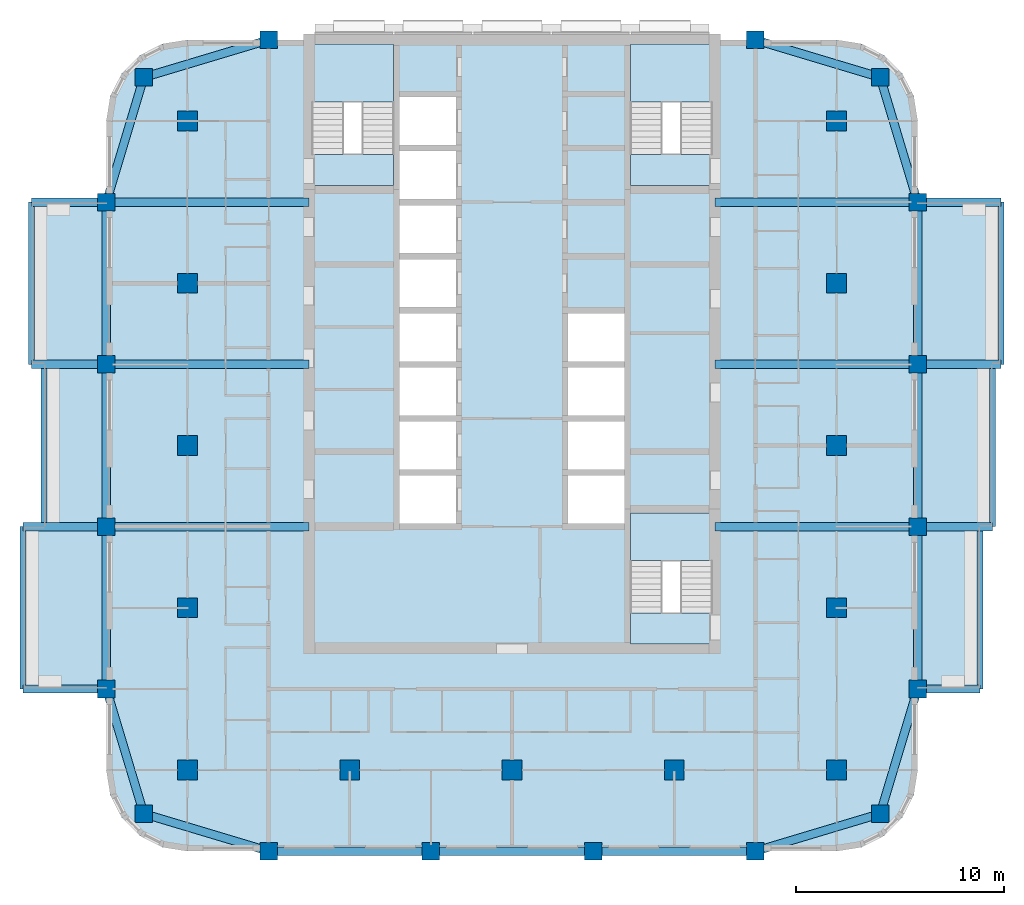
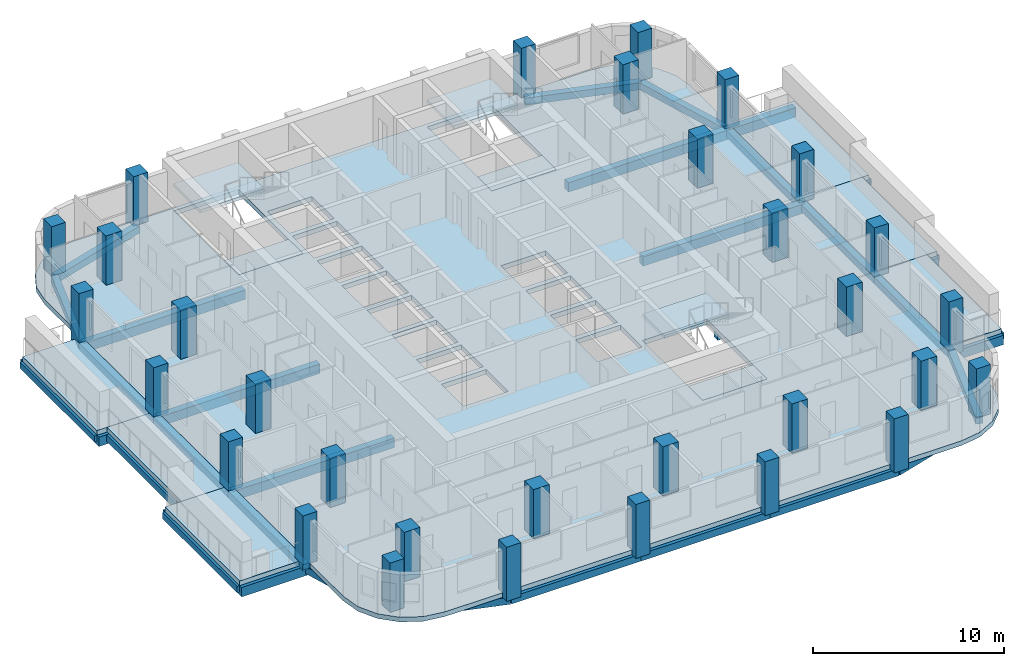
# One storey, part 1 of 13: 37 beams, 31 columns, 13 slabs, 3 elements without a shape of their own.
"""IFC4 building model written with IfcOpenShell, lengths in metres."""

from ifc_helpers import new_model, si_unit, direction, frame, origin, origin_2d, place, context, subcontext, project, spatial, polyline, rectangle, outline, extrude, material, layer, layer_set, material_profile, profile_set, type_object, element, aggregate, save


model = new_model("IFC4")

# Units and contexts
model_context = context("Model", 3, precision=1e-05, world=origin(), true_north=direction((0.0, 1.0)))
body_context = subcontext(model_context, "Body", "Model", "MODEL_VIEW")
ifc_project = project(units=[si_unit("LENGTHUNIT", "METRE"), si_unit("AREAUNIT", "SQUARE_METRE"), si_unit("VOLUMEUNIT", "CUBIC_METRE"), si_unit("PLANEANGLEUNIT", "RADIAN"), si_unit("MASSUNIT", "GRAM", prefix="KILO")], contexts=[model_context])

# Site, building, storey
site_placement = place(None, origin())
site = spatial("IfcSite", under=ifc_project, at=site_placement, CompositionType="ELEMENT")
building_placement = place(site_placement, origin())
building = spatial("IfcBuilding", under=site, at=building_placement, Name="Ludao Terraces", CompositionType="ELEMENT")
storey_placement = place(building_placement, frame((0.0, 0.0, 123.699951171875)))
storey = spatial("IfcBuildingStorey", under=building, at=storey_placement, Name="L33", CompositionType="ELEMENT", Elevation=123.699951171875)

# Columns
ifc_material_1 = material(Name="Concrete C50", Category="concrete")
ifc_material_profile_1 = material_profile(ifc_material_1, rectangle(XDim=0.85009765625, YDim=0.85009765625, at=origin_2d()), Name="850 X 850")
ifc_profile_set_1 = profile_set([ifc_material_profile_1], Name="Concrete C50")
column_type_1 = type_object("IfcColumnType", Name="RC column 850x850 C50", PredefinedType="COLUMN", material=ifc_profile_set_1)
for number, where, z_axis, x_axis, name in (
    (1, (67.300048828125, 47.300048828125, -0.300048828125), (0.0, 0.0, 1.0), (1.0, 0.0, 0.0), "Column L33 C0057x0057"),
    (2, (102.699951171875, 47.300048828125, -0.300048828125), (0.0, 0.0, 1.0), (1.0, 0.0, 0.0), "Column L33 C0411x0057"),
    (3, (67.300048828125, 82.699951171875, -0.300048828125), (0.0, 0.0, 1.0), (1.0, 0.0, 0.0), "Column L33 C0057x0411"),
    (4, (102.699951171875, 82.699951171875, -0.300048828125), (0.0, 0.0, 1.0), (1.0, 0.0, 0.0), "Column L33 C0411x0411"),
    (5, (65.5, 53.300048828125, -0.300048828125), (0.0, 0.0, 1.0), (1.0, 0.0, 0.0), "Column L33 W0039x0117"),
    (6, (104.5, 53.300048828125, -0.300048828125), (0.0, 0.0, 1.0), (1.0, 0.0, 0.0), "Column L33 W0429x0117"),
    (7, (73.300048828125, 45.5, -0.300048828125), (0.0, 0.0, 1.0), (1.0, 0.0, 0.0), "Column L33 W0117x0039"),
    (8, (73.300048828125, 84.5, -0.300048828125), (0.0, 0.0, 1.0), (1.0, 0.0, 0.0), "Column L33 W0117x0429"),
    (9, (65.5, 61.10009765625, -0.300048828125), (0.0, 0.0, 1.0), (1.0, 0.0, 0.0), "Column L33 W0039x0195"),
    (10, (104.5, 61.10009765625, -0.300048828125), (0.0, 0.0, 1.0), (1.0, 0.0, 0.0), "Column L33 W0429x0195"),
    (11, (81.10009765625, 45.5, -0.300048828125), (0.0, 0.0, 1.0), (1.0, 0.0, 0.0), "Column L33 W0195x0039"),
    (12, (65.5, 68.89990234375, -0.300048828125), (0.0, 0.0, 1.0), (1.0, 0.0, 0.0), "Column L33 W0039x0273"),
    (13, (104.5, 68.89990234375, -0.300048828125), (0.0, 0.0, 1.0), (1.0, 0.0, 0.0), "Column L33 W0429x0273"),
    (14, (88.89990234375, 45.5, -0.300048828125), (0.0, 0.0, 1.0), (1.0, 0.0, 0.0), "Column L33 W0273x0039"),
    (15, (65.5, 76.699951171875, -0.300048828125), (0.0, 0.0, 1.0), (1.0, 0.0, 0.0), "Column L33 W0039x0351"),
    (16, (104.5, 76.699951171875, -0.300048828125), (0.0, 0.0, 1.0), (1.0, 0.0, 0.0), "Column L33 W0429x0351"),
    (17, (96.699951171875, 45.5, -0.300048828125), (0.0, 0.0, 1.0), (1.0, 0.0, 0.0), "Column L33 W0351x0039"),
    (18, (96.699951171875, 84.5, -0.300048828125), (0.0, 0.0, 1.0), (1.0, 0.0, 0.0), "Column L33 W0351x0429"),
):
    element("IfcColumn", number, at=place(storey_placement, frame(where, z_axis=z_axis, x_axis=x_axis)), inside=storey, type_object=column_type_1, Name=name, PredefinedType="COLUMN", context=body_context, shape_type="SweptSolid", body=[
        extrude(rectangle(XDim=0.85009765625, YDim=0.85009765625, at=origin_2d()), origin(), (0.0, 0.0, 1.0), 3.4501953125),
    ])
ifc_material_profile_2 = material_profile(ifc_material_1, rectangle(XDim=0.949951171875, YDim=0.949951171875, at=origin_2d()), Name="950 X 950")
ifc_profile_set_2 = profile_set([ifc_material_profile_2], Name="Concrete C50")
column_type_2 = type_object("IfcColumnType", Name="RC column 950x950 C50", PredefinedType="COLUMN", material=ifc_profile_set_2)
for number, where, z_axis, x_axis, name in (
    (19, (69.39990234375, 49.39990234375, -0.300048828125), (0.0, 0.0, 1.0), (1.0, 0.0, 0.0), "Column L33 S0078x0078"),
    (20, (69.39990234375, 57.199951171875, -0.300048828125), (0.0, 0.0, 1.0), (1.0, 0.0, 0.0), "Column L33 S0078x0156"),
    (21, (69.39990234375, 65.0, -0.300048828125), (0.0, 0.0, 1.0), (1.0, 0.0, 0.0), "Column L33 S0078x0234"),
    (22, (69.39990234375, 72.800048828125, -0.300048828125), (0.0, 0.0, 1.0), (1.0, 0.0, 0.0), "Column L33 S0078x0312"),
    (23, (69.39990234375, 80.60009765625, -0.300048828125), (0.0, 0.0, 1.0), (1.0, 0.0, 0.0), "Column L33 S0078x0390"),
    (24, (77.199951171875, 49.39990234375, -0.300048828125), (0.0, 0.0, 1.0), (1.0, 0.0, 0.0), "Column L33 S0156x0078"),
    (25, (85.0, 49.39990234375, -0.300048828125), (0.0, 0.0, 1.0), (1.0, 0.0, 0.0), "Column L33 S0234x0078"),
    (26, (92.800048828125, 49.39990234375, -0.300048828125), (0.0, 0.0, 1.0), (1.0, 0.0, 0.0), "Column L33 S0312x0078"),
    (27, (100.60009765625, 49.39990234375, -0.300048828125), (0.0, 0.0, 1.0), (1.0, 0.0, 0.0), "Column L33 S0390x0078"),
    (28, (100.60009765625, 57.199951171875, -0.300048828125), (0.0, 0.0, 1.0), (1.0, 0.0, 0.0), "Column L33 S0390x0156"),
    (29, (100.60009765625, 65.0, -0.300048828125), (0.0, 0.0, 1.0), (1.0, 0.0, 0.0), "Column L33 S0390x0234"),
    (30, (100.60009765625, 72.800048828125, -0.300048828125), (0.0, 0.0, 1.0), (1.0, 0.0, 0.0), "Column L33 S0390x0312"),
    (31, (100.60009765625, 80.60009765625, -0.300048828125), (0.0, 0.0, 1.0), (1.0, 0.0, 0.0), "Column L33 S0390x0390"),
):
    element("IfcColumn", number, at=place(storey_placement, frame(where, z_axis=z_axis, x_axis=x_axis)), inside=storey, type_object=column_type_2, Name=name, PredefinedType="COLUMN", context=body_context, shape_type="SweptSolid", body=[
        extrude(rectangle(XDim=0.949951171875, YDim=0.949951171875, at=origin_2d()), origin(), (0.0, 0.0, 1.0), 3.4501953125),
    ])

# Beams
ifc_material_2 = material(Name="Concrete C40", Category="concrete")
ifc_material_profile_3 = material_profile(ifc_material_2, rectangle(XDim=0.300048828125, YDim=0.39990234375, at=origin_2d()), Name="300 X 400")
ifc_profile_set_3 = profile_set([ifc_material_profile_3], Name="Concrete C40")
beam_type_1 = type_object("IfcBeamType", Name="RC beam 300x400 C40", PredefinedType="BEAM", material=ifc_profile_set_3)
beam_1_placement = place(storey_placement, frame((107.5, 53.300048828125, -0.5), z_axis=(0.0, 1.0, 0.0), x_axis=(-1.0, 0.0, 0.0)))
element("IfcBeam", 32, at=beam_1_placement, inside=storey, type_object=beam_type_1, Name="Balcony edge beam L33 E1", PredefinedType="BEAM", context=body_context, shape_type="SweptSolid", body=[
    extrude(rectangle(XDim=0.300048828125, YDim=0.39990234375, at=origin_2d()), origin(), (0.0, 0.0, 1.0), 7.800048828125),
])
beam_2_placement = place(storey_placement, frame((108.10009765625, 61.10009765625, -0.5), z_axis=(0.0, 1.0, 0.0), x_axis=(-1.0, 0.0, 0.0)))
element("IfcBeam", 33, at=beam_2_placement, inside=storey, type_object=beam_type_1, Name="Balcony edge beam L33 E2", PredefinedType="BEAM", context=body_context, shape_type="SweptSolid", body=[
    extrude(rectangle(XDim=0.300048828125, YDim=0.39990234375, at=origin_2d()), origin(), (0.0, 0.0, 1.0), 7.7998046875),
])
for number, where, z_axis, x_axis, name in (
    (34, (108.5, 68.89990234375, -0.5), (0.0, 1.0, 0.0), (-1.0, 0.0, 0.0), "Balcony edge beam L33 E3"),
    (35, (61.5, 53.300048828125, -0.5), (0.0, 1.0, 0.0), (-1.0, 0.0, 0.0), "Balcony edge beam L33 W1"),
):
    element("IfcBeam", number, at=place(storey_placement, frame(where, z_axis=z_axis, x_axis=x_axis)), inside=storey, type_object=beam_type_1, Name=name, PredefinedType="BEAM", context=body_context, shape_type="SweptSolid", body=[
        extrude(rectangle(XDim=0.300048828125, YDim=0.39990234375, at=origin_2d()), origin(), (0.0, 0.0, 1.0), 7.800048828125),
    ])
beam_3_placement = place(storey_placement, frame((62.5, 61.10009765625, -0.5), z_axis=(0.0, 1.0, 0.0), x_axis=(-1.0, 0.0, 0.0)))
element("IfcBeam", 36, at=beam_3_placement, inside=storey, type_object=beam_type_1, Name="Balcony edge beam L33 W2", PredefinedType="BEAM", context=body_context, shape_type="SweptSolid", body=[
    extrude(rectangle(XDim=0.300048828125, YDim=0.39990234375, at=origin_2d()), origin(), (0.0, 0.0, 1.0), 7.7998046875),
])
beam_4_placement = place(storey_placement, frame((61.89990234375, 68.89990234375, -0.5), z_axis=(0.0, 1.0, 0.0), x_axis=(-1.0, 0.0, 0.0)))
element("IfcBeam", 37, at=beam_4_placement, inside=storey, type_object=beam_type_1, Name="Balcony edge beam L33 W3", PredefinedType="BEAM", context=body_context, shape_type="SweptSolid", body=[
    extrude(rectangle(XDim=0.300048828125, YDim=0.39990234375, at=origin_2d()), origin(), (0.0, 0.0, 1.0), 7.800048828125),
])
ifc_material_profile_4 = material_profile(ifc_material_2, rectangle(XDim=0.39990234375, YDim=0.449951171875, at=origin_2d()), Name="400 X 450")
ifc_profile_set_4 = profile_set([ifc_material_profile_4], Name="Concrete C40")
beam_type_2 = type_object("IfcBeamType", Name="RC beam 400x450 C40", PredefinedType="BEAM", material=ifc_profile_set_4)
beam_5_placement = place(storey_placement, frame((67.300048828125, 47.300048828125, -0.52490234375), z_axis=(0.957824139839, -0.287355036744, 0.0), x_axis=(0.287355036744, 0.957824139839, 0.0)))
element("IfcBeam", 38, at=beam_5_placement, inside=storey, type_object=beam_type_2, Name="Spandrel beam L33 S1", PredefinedType="BEAM", context=body_context, shape_type="SweptSolid", body=[
    extrude(rectangle(XDim=0.39990234375, YDim=0.449951171875, at=origin_2d()), origin(), (0.0, 0.0, 1.0), 6.26416015625),
])
beam_6_placement = place(storey_placement, frame((73.300048828125, 45.5, -0.52490234375), z_axis=(1.0, 0.0, 0.0), x_axis=(0.0, 1.0, 0.0)))
element("IfcBeam", 39, at=beam_6_placement, inside=storey, type_object=beam_type_2, Name="Spandrel beam L33 S2", PredefinedType="BEAM", context=body_context, shape_type="SweptSolid", body=[
    extrude(rectangle(XDim=0.39990234375, YDim=0.449951171875, at=origin_2d()), origin(), (0.0, 0.0, 1.0), 7.800048828125),
])
beam_7_placement = place(storey_placement, frame((81.10009765625, 45.5, -0.52490234375), z_axis=(1.0, 0.0, 0.0), x_axis=(0.0, 1.0, 0.0)))
element("IfcBeam", 40, at=beam_7_placement, inside=storey, type_object=beam_type_2, Name="Spandrel beam L33 S3", PredefinedType="BEAM", context=body_context, shape_type="SweptSolid", body=[
    extrude(rectangle(XDim=0.39990234375, YDim=0.449951171875, at=origin_2d()), origin(), (0.0, 0.0, 1.0), 7.7998046875),
])
beam_8_placement = place(storey_placement, frame((88.89990234375, 45.5, -0.52490234375), z_axis=(1.0, 0.0, 0.0), x_axis=(0.0, 1.0, 0.0)))
element("IfcBeam", 41, at=beam_8_placement, inside=storey, type_object=beam_type_2, Name="Spandrel beam L33 S4", PredefinedType="BEAM", context=body_context, shape_type="SweptSolid", body=[
    extrude(rectangle(XDim=0.39990234375, YDim=0.449951171875, at=origin_2d()), origin(), (0.0, 0.0, 1.0), 7.800048828125),
])
for number, where, z_axis, x_axis, name in (
    (42, (96.699951171875, 45.5, -0.52490234375), (0.957824139839, 0.287355036744, 0.0), (-0.287355036744, 0.957824139839, 0.0), "Spandrel beam L33 S5"),
    (43, (67.300048828125, 82.699951171875, -0.52490234375), (0.957824139839, 0.287355036744, 0.0), (-0.287355036744, 0.957824139839, 0.0), "Spandrel beam L33 N6"),
    (44, (96.699951171875, 84.5, -0.52490234375), (0.957824139839, -0.287355036744, 0.0), (0.287355036744, 0.957824139839, 0.0), "Spandrel beam L33 N7"),
    (45, (67.300048828125, 47.300048828125, -0.52490234375), (-0.287355036744, 0.957824139839, 0.0), (-0.957824139839, -0.287355036744, 0.0), "Spandrel beam L33 W8"),
):
    element("IfcBeam", number, at=place(storey_placement, frame(where, z_axis=z_axis, x_axis=x_axis)), inside=storey, type_object=beam_type_2, Name=name, PredefinedType="BEAM", context=body_context, shape_type="SweptSolid", body=[
        extrude(rectangle(XDim=0.39990234375, YDim=0.449951171875, at=origin_2d()), origin(), (0.0, 0.0, 1.0), 6.26416015625),
    ])
beam_9_placement = place(storey_placement, frame((65.5, 53.300048828125, -0.52490234375), z_axis=(0.0, 1.0, 0.0), x_axis=(-1.0, 0.0, 0.0)))
element("IfcBeam", 46, at=beam_9_placement, inside=storey, type_object=beam_type_2, Name="Spandrel beam L33 W9", PredefinedType="BEAM", context=body_context, shape_type="SweptSolid", body=[
    extrude(rectangle(XDim=0.39990234375, YDim=0.449951171875, at=origin_2d()), origin(), (0.0, 0.0, 1.0), 7.800048828125),
])
beam_10_placement = place(storey_placement, frame((65.5, 61.10009765625, -0.52490234375), z_axis=(0.0, 1.0, 0.0), x_axis=(-1.0, 0.0, 0.0)))
element("IfcBeam", 47, at=beam_10_placement, inside=storey, type_object=beam_type_2, Name="Spandrel beam L33 W10", PredefinedType="BEAM", context=body_context, shape_type="SweptSolid", body=[
    extrude(rectangle(XDim=0.39990234375, YDim=0.449951171875, at=origin_2d()), origin(), (0.0, 0.0, 1.0), 7.7998046875),
])
beam_11_placement = place(storey_placement, frame((65.5, 68.89990234375, -0.52490234375), z_axis=(0.0, 1.0, 0.0), x_axis=(-1.0, 0.0, 0.0)))
element("IfcBeam", 48, at=beam_11_placement, inside=storey, type_object=beam_type_2, Name="Spandrel beam L33 W11", PredefinedType="BEAM", context=body_context, shape_type="SweptSolid", body=[
    extrude(rectangle(XDim=0.39990234375, YDim=0.449951171875, at=origin_2d()), origin(), (0.0, 0.0, 1.0), 7.800048828125),
])
for number, where, z_axis, x_axis, name in (
    (49, (65.5, 76.699951171875, -0.52490234375), (0.287355036744, 0.957824139839, 0.0), (-0.957824139839, 0.287355036744, 0.0), "Spandrel beam L33 W12"),
    (50, (102.699951171875, 47.300048828125, -0.52490234375), (0.287355036744, 0.957824139839, 0.0), (-0.957824139839, 0.287355036744, 0.0), "Spandrel beam L33 E13"),
):
    element("IfcBeam", number, at=place(storey_placement, frame(where, z_axis=z_axis, x_axis=x_axis)), inside=storey, type_object=beam_type_2, Name=name, PredefinedType="BEAM", context=body_context, shape_type="SweptSolid", body=[
        extrude(rectangle(XDim=0.39990234375, YDim=0.449951171875, at=origin_2d()), origin(), (0.0, 0.0, 1.0), 6.26416015625),
    ])
beam_12_placement = place(storey_placement, frame((104.5, 53.300048828125, -0.52490234375), z_axis=(0.0, 1.0, 0.0), x_axis=(-1.0, 0.0, 0.0)))
element("IfcBeam", 51, at=beam_12_placement, inside=storey, type_object=beam_type_2, Name="Spandrel beam L33 E14", PredefinedType="BEAM", context=body_context, shape_type="SweptSolid", body=[
    extrude(rectangle(XDim=0.39990234375, YDim=0.449951171875, at=origin_2d()), origin(), (0.0, 0.0, 1.0), 7.800048828125),
])
beam_13_placement = place(storey_placement, frame((104.5, 61.10009765625, -0.52490234375), z_axis=(0.0, 1.0, 0.0), x_axis=(-1.0, 0.0, 0.0)))
element("IfcBeam", 52, at=beam_13_placement, inside=storey, type_object=beam_type_2, Name="Spandrel beam L33 E15", PredefinedType="BEAM", context=body_context, shape_type="SweptSolid", body=[
    extrude(rectangle(XDim=0.39990234375, YDim=0.449951171875, at=origin_2d()), origin(), (0.0, 0.0, 1.0), 7.7998046875),
])
beam_14_placement = place(storey_placement, frame((104.5, 68.89990234375, -0.52490234375), z_axis=(0.0, 1.0, 0.0), x_axis=(-1.0, 0.0, 0.0)))
element("IfcBeam", 53, at=beam_14_placement, inside=storey, type_object=beam_type_2, Name="Spandrel beam L33 E16", PredefinedType="BEAM", context=body_context, shape_type="SweptSolid", body=[
    extrude(rectangle(XDim=0.39990234375, YDim=0.449951171875, at=origin_2d()), origin(), (0.0, 0.0, 1.0), 7.800048828125),
])
beam_15_placement = place(storey_placement, frame((104.5, 76.699951171875, -0.52490234375), z_axis=(-0.287355036744, 0.957824139839, 0.0), x_axis=(-0.957824139839, -0.287355036744, 0.0)))
element("IfcBeam", 54, at=beam_15_placement, inside=storey, type_object=beam_type_2, Name="Spandrel beam L33 E17", PredefinedType="BEAM", context=body_context, shape_type="SweptSolid", body=[
    extrude(rectangle(XDim=0.39990234375, YDim=0.449951171875, at=origin_2d()), origin(), (0.0, 0.0, 1.0), 6.26416015625),
])
ifc_material_profile_5 = material_profile(ifc_material_2, rectangle(XDim=0.39990234375, YDim=0.60009765625, at=origin_2d()), Name="400 X 600")
ifc_profile_set_5 = profile_set([ifc_material_profile_5], Name="Concrete C40")
beam_type_3 = type_object("IfcBeamType", Name="RC beam 400x600 C40", PredefinedType="BEAM", material=ifc_profile_set_5)
beam_16_placement = place(storey_placement, frame((104.5, 53.300048828125, -0.599853515625), z_axis=(1.0, 0.0, 0.0), x_axis=(0.0, 1.0, 0.0)))
element("IfcBeam", 55, at=beam_16_placement, inside=storey, type_object=beam_type_3, Name="Balcony beam L33 E533", PredefinedType="BEAM", context=body_context, shape_type="SweptSolid", body=[
    extrude(rectangle(XDim=0.39990234375, YDim=0.60009765625, at=origin_2d()), origin(), (0.0, 0.0, 1.0), 3.0),
])
beam_17_placement = place(storey_placement, frame((94.75, 61.10009765625, -0.599853515625), z_axis=(1.0, 0.0, 0.0), x_axis=(0.0, 1.0, 0.0)))
element("IfcBeam", 56, at=beam_17_placement, inside=storey, type_object=beam_type_3, Name="Balcony beam L33 E611", PredefinedType="BEAM", context=body_context, shape_type="SweptSolid", body=[
    extrude(rectangle(XDim=0.39990234375, YDim=0.60009765625, at=origin_2d()), origin(), (0.0, 0.0, 1.0), 9.75),
])
beam_18_placement = place(storey_placement, frame((104.5, 61.10009765625, -0.599853515625), z_axis=(1.0, 0.0, 0.0), x_axis=(0.0, 1.0, 0.0)))
element("IfcBeam", 57, at=beam_18_placement, inside=storey, type_object=beam_type_3, Name="Balcony beam L33 E611", PredefinedType="BEAM", context=body_context, shape_type="SweptSolid", body=[
    extrude(rectangle(XDim=0.39990234375, YDim=0.60009765625, at=origin_2d()), origin(), (0.0, 0.0, 1.0), 3.60009765625),
])
beam_19_placement = place(storey_placement, frame((94.75, 68.89990234375, -0.599853515625), z_axis=(1.0, 0.0, 0.0), x_axis=(0.0, 1.0, 0.0)))
element("IfcBeam", 58, at=beam_19_placement, inside=storey, type_object=beam_type_3, Name="Balcony beam L33 E689", PredefinedType="BEAM", context=body_context, shape_type="SweptSolid", body=[
    extrude(rectangle(XDim=0.39990234375, YDim=0.60009765625, at=origin_2d()), origin(), (0.0, 0.0, 1.0), 9.75),
])
beam_20_placement = place(storey_placement, frame((104.5, 68.89990234375, -0.599853515625), z_axis=(1.0, 0.0, 0.0), x_axis=(0.0, 1.0, 0.0)))
element("IfcBeam", 59, at=beam_20_placement, inside=storey, type_object=beam_type_3, Name="Balcony beam L33 E689", PredefinedType="BEAM", context=body_context, shape_type="SweptSolid", body=[
    extrude(rectangle(XDim=0.39990234375, YDim=0.60009765625, at=origin_2d()), origin(), (0.0, 0.0, 1.0), 4.0),
])
beam_21_placement = place(storey_placement, frame((94.75, 76.699951171875, -0.599853515625), z_axis=(1.0, 0.0, 0.0), x_axis=(0.0, 1.0, 0.0)))
element("IfcBeam", 60, at=beam_21_placement, inside=storey, type_object=beam_type_3, Name="Balcony beam L33 E767", PredefinedType="BEAM", context=body_context, shape_type="SweptSolid", body=[
    extrude(rectangle(XDim=0.39990234375, YDim=0.60009765625, at=origin_2d()), origin(), (0.0, 0.0, 1.0), 9.75),
])
for number, where, z_axis, x_axis, name in (
    (61, (104.5, 76.699951171875, -0.599853515625), (1.0, 0.0, 0.0), (0.0, 1.0, 0.0), "Balcony beam L33 E767"),
    (62, (65.5, 53.300048828125, -0.599853515625), (-1.0, 0.0, 0.0), (0.0, -1.0, 0.0), "Balcony beam L33 W533"),
):
    element("IfcBeam", number, at=place(storey_placement, frame(where, z_axis=z_axis, x_axis=x_axis)), inside=storey, type_object=beam_type_3, Name=name, PredefinedType="BEAM", context=body_context, shape_type="SweptSolid", body=[
        extrude(rectangle(XDim=0.39990234375, YDim=0.60009765625, at=origin_2d()), origin(), (0.0, 0.0, 1.0), 4.0),
    ])
beam_22_placement = place(storey_placement, frame((75.25, 61.10009765625, -0.599853515625), z_axis=(-1.0, 0.0, 0.0), x_axis=(0.0, -1.0, 0.0)))
element("IfcBeam", 63, at=beam_22_placement, inside=storey, type_object=beam_type_3, Name="Balcony beam L33 W611", PredefinedType="BEAM", context=body_context, shape_type="SweptSolid", body=[
    extrude(rectangle(XDim=0.39990234375, YDim=0.60009765625, at=origin_2d()), origin(), (0.0, 0.0, 1.0), 9.75),
])
beam_23_placement = place(storey_placement, frame((65.5, 61.10009765625, -0.599853515625), z_axis=(-1.0, 0.0, 0.0), x_axis=(0.0, -1.0, 0.0)))
element("IfcBeam", 64, at=beam_23_placement, inside=storey, type_object=beam_type_3, Name="Balcony beam L33 W611", PredefinedType="BEAM", context=body_context, shape_type="SweptSolid", body=[
    extrude(rectangle(XDim=0.39990234375, YDim=0.60009765625, at=origin_2d()), origin(), (0.0, 0.0, 1.0), 4.0),
])
beam_24_placement = place(storey_placement, frame((75.25, 68.89990234375, -0.599853515625), z_axis=(-1.0, 0.0, 0.0), x_axis=(0.0, -1.0, 0.0)))
element("IfcBeam", 65, at=beam_24_placement, inside=storey, type_object=beam_type_3, Name="Balcony beam L33 W689", PredefinedType="BEAM", context=body_context, shape_type="SweptSolid", body=[
    extrude(rectangle(XDim=0.39990234375, YDim=0.60009765625, at=origin_2d()), origin(), (0.0, 0.0, 1.0), 9.75),
])
beam_25_placement = place(storey_placement, frame((65.5, 68.89990234375, -0.599853515625), z_axis=(-1.0, 0.0, 0.0), x_axis=(0.0, -1.0, 0.0)))
element("IfcBeam", 66, at=beam_25_placement, inside=storey, type_object=beam_type_3, Name="Balcony beam L33 W689", PredefinedType="BEAM", context=body_context, shape_type="SweptSolid", body=[
    extrude(rectangle(XDim=0.39990234375, YDim=0.60009765625, at=origin_2d()), origin(), (0.0, 0.0, 1.0), 3.60009765625),
])
beam_26_placement = place(storey_placement, frame((75.25, 76.699951171875, -0.599853515625), z_axis=(-1.0, 0.0, 0.0), x_axis=(0.0, -1.0, 0.0)))
element("IfcBeam", 67, at=beam_26_placement, inside=storey, type_object=beam_type_3, Name="Balcony beam L33 W767", PredefinedType="BEAM", context=body_context, shape_type="SweptSolid", body=[
    extrude(rectangle(XDim=0.39990234375, YDim=0.60009765625, at=origin_2d()), origin(), (0.0, 0.0, 1.0), 9.75),
])
beam_27_placement = place(storey_placement, frame((65.5, 76.699951171875, -0.599853515625), z_axis=(-1.0, 0.0, 0.0), x_axis=(0.0, -1.0, 0.0)))
element("IfcBeam", 68, at=beam_27_placement, inside=storey, type_object=beam_type_3, Name="Balcony beam L33 W767", PredefinedType="BEAM", context=body_context, shape_type="SweptSolid", body=[
    extrude(rectangle(XDim=0.39990234375, YDim=0.60009765625, at=origin_2d()), origin(), (0.0, 0.0, 1.0), 3.60009765625),
])

# Slabs
ifc_layer_1 = layer(ifc_material_2, 0.300048828125)
ifc_layer_set_1 = layer_set([ifc_layer_1], Name="Balcony slab 300 C40")
slab_type_1 = type_object("IfcSlabType", Name="Balcony slab 300 C40", PredefinedType="USERDEFINED", material=ifc_layer_set_1)
slab_1_placement = place(storey_placement, frame((0.0, 0.0, -0.300048828125)))
element("IfcSlab", 69, at=slab_1_placement, inside=storey, type_object=slab_type_1, Name="Balcony L33 E1", ObjectType="BALCONY", PredefinedType="USERDEFINED", context=body_context, shape_type="SweptSolid", body=[
    extrude(outline(polyline([(104.5, 53.300048828125), (107.5, 53.300048828125), (107.5, 61.10009765625), (104.5, 61.10009765625), (104.5, 53.300048828125)])), origin(), (0.0, 0.0, 1.0), 0.300048828125),
])
slab_2_placement = place(storey_placement, frame((0.0, 0.0, -0.300048828125)))
element("IfcSlab", 70, at=slab_2_placement, inside=storey, type_object=slab_type_1, Name="Balcony L33 E2", ObjectType="BALCONY", PredefinedType="USERDEFINED", context=body_context, shape_type="SweptSolid", body=[
    extrude(outline(polyline([(104.5, 61.10009765625), (108.10009765625, 61.10009765625), (108.10009765625, 68.89990234375), (104.5, 68.89990234375), (104.5, 61.10009765625)])), origin(), (0.0, 0.0, 1.0), 0.300048828125),
])
slab_3_placement = place(storey_placement, frame((0.0, 0.0, -0.300048828125)))
element("IfcSlab", 71, at=slab_3_placement, inside=storey, type_object=slab_type_1, Name="Balcony L33 E3", ObjectType="BALCONY", PredefinedType="USERDEFINED", context=body_context, shape_type="SweptSolid", body=[
    extrude(outline(polyline([(104.5, 68.89990234375), (108.5, 68.89990234375), (108.5, 76.699951171875), (104.5, 76.699951171875), (104.5, 68.89990234375)])), origin(), (0.0, 0.0, 1.0), 0.300048828125),
])
slab_4_placement = place(storey_placement, frame((0.0, 0.0, -0.300048828125)))
element("IfcSlab", 72, at=slab_4_placement, inside=storey, type_object=slab_type_1, Name="Balcony L33 W1", ObjectType="BALCONY", PredefinedType="USERDEFINED", context=body_context, shape_type="SweptSolid", body=[
    extrude(outline(polyline([(61.5, 53.300048828125), (65.5, 53.300048828125), (65.5, 61.10009765625), (61.5, 61.10009765625), (61.5, 53.300048828125)])), origin(), (0.0, 0.0, 1.0), 0.300048828125),
])
slab_5_placement = place(storey_placement, frame((0.0, 0.0, -0.300048828125)))
element("IfcSlab", 73, at=slab_5_placement, inside=storey, type_object=slab_type_1, Name="Balcony L33 W2", ObjectType="BALCONY", PredefinedType="USERDEFINED", context=body_context, shape_type="SweptSolid", body=[
    extrude(outline(polyline([(62.5, 61.10009765625), (65.5, 61.10009765625), (65.5, 68.89990234375), (62.5, 68.89990234375), (62.5, 61.10009765625)])), origin(), (0.0, 0.0, 1.0), 0.300048828125),
])
slab_6_placement = place(storey_placement, frame((0.0, 0.0, -0.300048828125)))
element("IfcSlab", 74, at=slab_6_placement, inside=storey, type_object=slab_type_1, Name="Balcony L33 W3", ObjectType="BALCONY", PredefinedType="USERDEFINED", context=body_context, shape_type="SweptSolid", body=[
    extrude(outline(polyline([(61.89990234375, 68.89990234375), (65.5, 68.89990234375), (65.5, 76.699951171875), (61.89990234375, 76.699951171875), (61.89990234375, 68.89990234375)])), origin(), (0.0, 0.0, 1.0), 0.300048828125),
])
ifc_layer_2 = layer(ifc_material_2, 0.300048828125)
ifc_layer_set_2 = layer_set([ifc_layer_2], Name="Floor slab 300 C40")
slab_type_2 = type_object("IfcSlabType", Name="Floor slab 300 C40", PredefinedType="FLOOR", material=ifc_layer_set_2)
slab_7_placement = place(storey_placement, frame((0.0, 0.0, -0.300048828125)))
element("IfcSlab", 75, at=slab_7_placement, inside=storey, type_object=slab_type_2, Name="Slab L33", PredefinedType="FLOOR", context=body_context, shape_type="SweptSolid", body=[
    extrude(outline(polyline([(100.60009765625, 45.5), (101.80517578125, 45.69091796875), (102.892333984375, 46.244873046875), (103.755126953125, 47.107666015625), (104.30908203125, 48.19482421875), (104.5, 49.39990234375), (104.5, 80.60009765625), (104.30908203125, 81.80517578125), (103.755126953125, 82.892333984375), (102.892333984375, 83.755126953125), (101.80517578125, 84.30908203125), (100.60009765625, 84.5), (69.39990234375, 84.5), (68.19482421875, 84.30908203125), (67.107666015625, 83.755126953125), (66.244873046875, 82.892333984375), (65.69091796875, 81.80517578125), (65.5, 80.60009765625), (65.5, 49.39990234375), (65.69091796875, 48.19482421875), (66.244873046875, 47.107666015625), (67.107666015625, 46.244873046875), (68.19482421875, 45.69091796875), (69.39990234375, 45.5), (100.60009765625, 45.5)]), holes=[polyline([(79.60009765625, 61.25), (82.300048828125, 61.25), (82.300048828125, 63.550048828125), (79.60009765625, 63.550048828125), (79.60009765625, 61.25)]), polyline([(79.60009765625, 63.85009765625), (82.300048828125, 63.85009765625), (82.300048828125, 66.14990234375), (79.60009765625, 66.14990234375), (79.60009765625, 63.85009765625)]), polyline([(79.60009765625, 66.449951171875), (82.300048828125, 66.449951171875), (82.300048828125, 68.75), (79.60009765625, 68.75), (79.60009765625, 66.449951171875)]), polyline([(79.60009765625, 69.050048828125), (82.300048828125, 69.050048828125), (82.300048828125, 71.35009765625), (79.60009765625, 71.35009765625), (79.60009765625, 69.050048828125)]), polyline([(79.60009765625, 71.64990234375), (82.300048828125, 71.64990234375), (82.300048828125, 73.949951171875), (79.60009765625, 73.949951171875), (79.60009765625, 71.64990234375)]), polyline([(79.60009765625, 74.25), (82.300048828125, 74.25), (82.300048828125, 76.550048828125), (79.60009765625, 76.550048828125), (79.60009765625, 74.25)]), polyline([(79.60009765625, 76.85009765625), (82.300048828125, 76.85009765625), (82.300048828125, 79.14990234375), (79.60009765625, 79.14990234375), (79.60009765625, 76.85009765625)]), polyline([(79.60009765625, 79.449951171875), (82.300048828125, 79.449951171875), (82.300048828125, 81.75), (79.60009765625, 81.75), (79.60009765625, 79.449951171875)]), polyline([(87.699951171875, 61.25), (90.39990234375, 61.25), (90.39990234375, 63.550048828125), (87.699951171875, 63.550048828125), (87.699951171875, 61.25)]), polyline([(87.699951171875, 63.85009765625), (90.39990234375, 63.85009765625), (90.39990234375, 66.14990234375), (87.699951171875, 66.14990234375), (87.699951171875, 63.85009765625)]), polyline([(87.699951171875, 66.449951171875), (90.39990234375, 66.449951171875), (90.39990234375, 68.75), (87.699951171875, 68.75), (87.699951171875, 66.449951171875)]), polyline([(87.699951171875, 69.050048828125), (90.39990234375, 69.050048828125), (90.39990234375, 71.35009765625), (87.699951171875, 71.35009765625), (87.699951171875, 69.050048828125)]), polyline([(75.39990234375, 77.5), (79.300048828125, 77.5), (79.300048828125, 84.239990234375), (75.39990234375, 84.239990234375), (75.39990234375, 77.5)]), polyline([(90.699951171875, 77.5), (94.60009765625, 77.5), (94.60009765625, 84.239990234375), (90.699951171875, 84.239990234375), (90.699951171875, 77.5)]), polyline([(90.699951171875, 55.449951171875), (94.60009765625, 55.449951171875), (94.60009765625, 61.75), (90.699951171875, 61.75), (90.699951171875, 55.449951171875)])]), origin(), (0.0, 0.0, 1.0), 0.300048828125),
])

# Stair, slabs
stair_type = type_object("IfcStairType", Name="INT Stair", PredefinedType="HALF_TURN_STAIR", material=ifc_material_2)
stair_1_placement = place(storey_placement, origin())
stair_1 = element("IfcStair", 76, at=stair_1_placement, inside=storey, type_object=stair_type, Name="EXIT STAIR 1", PredefinedType="HALF_TURN_STAIR")
ifc_layer_3 = layer(ifc_material_2, 0.199951171875)
ifc_layer_set_3 = layer_set([ifc_layer_3], Name="INT Stair landing 200")
slab_type_3 = type_object("IfcSlabType", Name="INT Stair landing 200", PredefinedType="LANDING", material=ifc_layer_set_3)
slab_8_placement = place(storey_placement, frame((0.0, 0.0, 1.5)))
slab_8 = element("IfcSlab", 77, at=slab_8_placement, type_object=slab_type_3, Name="ST1 landing 1", PredefinedType="LANDING", context=body_context, shape_type="SweptSolid", body=[
    extrude(outline(polyline([(75.39990234375, 81.52001953125), (79.300048828125, 81.52001953125), (79.300048828125, 84.300048828125), (75.39990234375, 84.300048828125), (75.39990234375, 81.52001953125)])), origin(), (0.0, 0.0, 1.0), 0.199951171875),
])
slab_9_placement = place(storey_placement, frame((0.0, 0.0, -0.199951171875)))
slab_9 = element("IfcSlab", 78, at=slab_9_placement, type_object=slab_type_3, Name="ST1 landing 2", PredefinedType="LANDING", context=body_context, shape_type="SweptSolid", body=[
    extrude(outline(polyline([(75.39990234375, 77.5), (79.300048828125, 77.5), (79.300048828125, 79.0), (75.39990234375, 79.0), (75.39990234375, 77.5)])), origin(), (0.0, 0.0, 1.0), 0.199951171875),
])
aggregate(stair_1, [slab_8, slab_9])

stair_2_placement = place(storey_placement, origin())
stair_2 = element("IfcStair", 79, at=stair_2_placement, inside=storey, type_object=stair_type, Name="EXIT STAIR 2", PredefinedType="HALF_TURN_STAIR")
slab_10_placement = place(storey_placement, frame((0.0, 0.0, 1.5)))
slab_10 = element("IfcSlab", 80, at=slab_10_placement, type_object=slab_type_3, Name="ST2 landing 1", PredefinedType="LANDING", context=body_context, shape_type="SweptSolid", body=[
    extrude(outline(polyline([(90.699951171875, 81.52001953125), (94.60009765625, 81.52001953125), (94.60009765625, 84.300048828125), (90.699951171875, 84.300048828125), (90.699951171875, 81.52001953125)])), origin(), (0.0, 0.0, 1.0), 0.199951171875),
])
slab_11_placement = place(storey_placement, frame((0.0, 0.0, -0.199951171875)))
slab_11 = element("IfcSlab", 81, at=slab_11_placement, type_object=slab_type_3, Name="ST2 landing 2", PredefinedType="LANDING", context=body_context, shape_type="SweptSolid", body=[
    extrude(outline(polyline([(90.699951171875, 77.5), (94.60009765625, 77.5), (94.60009765625, 79.0), (90.699951171875, 79.0), (90.699951171875, 77.5)])), origin(), (0.0, 0.0, 1.0), 0.199951171875),
])
aggregate(stair_2, [slab_10, slab_11])

stair_3_placement = place(storey_placement, origin())
stair_3 = element("IfcStair", 82, at=stair_3_placement, inside=storey, type_object=stair_type, Name="EXIT STAIR 3", PredefinedType="HALF_TURN_STAIR")
slab_12_placement = place(storey_placement, frame((0.0, 0.0, 1.5)))
slab_12 = element("IfcSlab", 83, at=slab_12_placement, type_object=slab_type_3, Name="ST3 landing 1", PredefinedType="LANDING", context=body_context, shape_type="SweptSolid", body=[
    extrude(outline(polyline([(90.699951171875, 59.469970703125), (94.60009765625, 59.469970703125), (94.60009765625, 61.75), (90.699951171875, 61.75), (90.699951171875, 59.469970703125)])), origin(), (0.0, 0.0, 1.0), 0.199951171875),
])
slab_13_placement = place(storey_placement, frame((0.0, 0.0, -0.199951171875)))
slab_13 = element("IfcSlab", 84, at=slab_13_placement, type_object=slab_type_3, Name="ST3 landing 2", PredefinedType="LANDING", context=body_context, shape_type="SweptSolid", body=[
    extrude(outline(polyline([(90.699951171875, 55.449951171875), (94.60009765625, 55.449951171875), (94.60009765625, 56.949951171875), (90.699951171875, 56.949951171875), (90.699951171875, 55.449951171875)])), origin(), (0.0, 0.0, 1.0), 0.199951171875),
])
aggregate(stair_3, [slab_12, slab_13])

save(model, "model.ifc")
